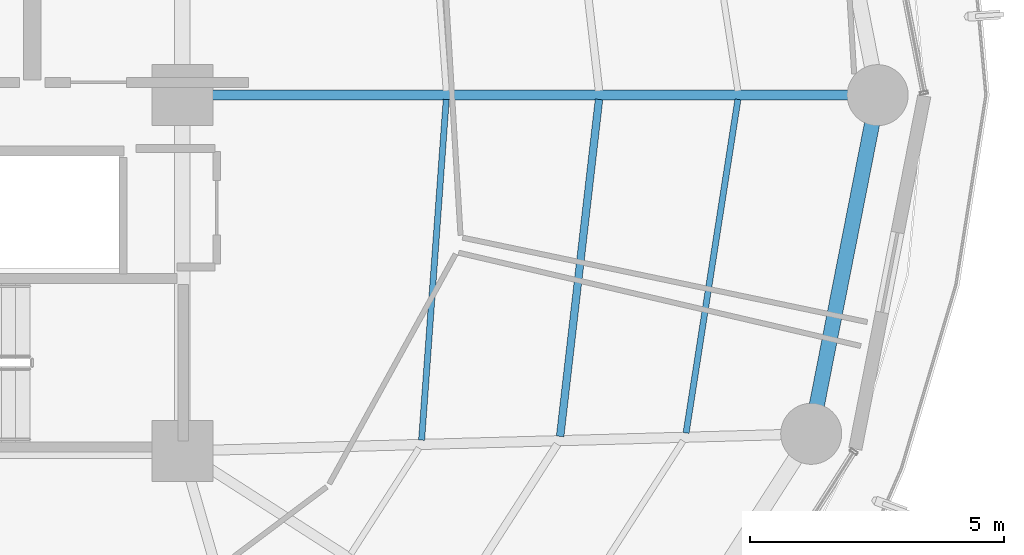
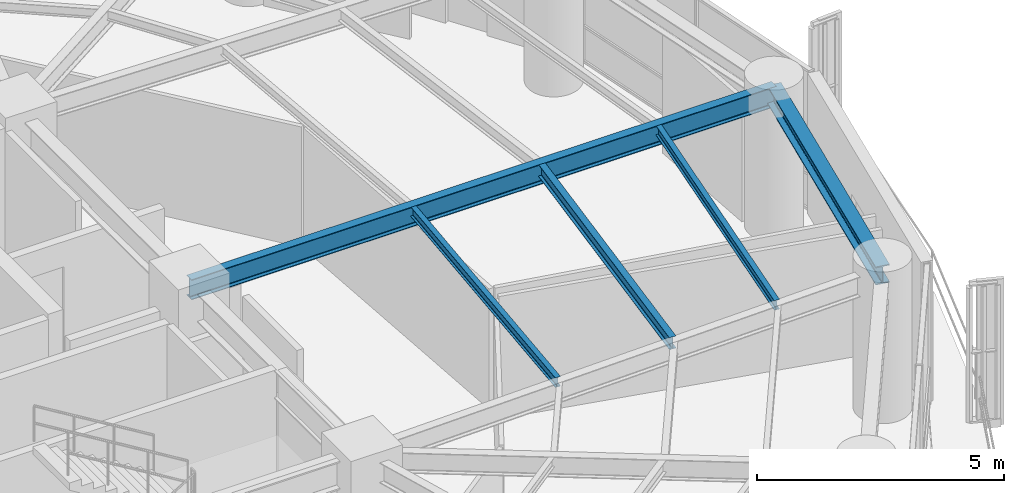
# One storey, part 12 of 27: 5 beams.
"""IFC4 building model written with IfcOpenShell, lengths in metres."""

from ifc_helpers import new_model, si_unit, direction, frame, origin, origin_2d, place, context, subcontext, project, spatial, i_section, extrude, material, material_profile, profile_set, type_object, element, save


model = new_model("IFC4")

# Units and contexts
model_context = context("Model", 3, precision=1e-05, world=origin(), true_north=direction((0.0, 1.0)))
body_context = subcontext(model_context, "Body", "Model", "MODEL_VIEW")
ifc_project = project(units=[si_unit("LENGTHUNIT", "METRE"), si_unit("AREAUNIT", "SQUARE_METRE"), si_unit("VOLUMEUNIT", "CUBIC_METRE"), si_unit("PLANEANGLEUNIT", "RADIAN"), si_unit("MASSUNIT", "GRAM", prefix="KILO")], contexts=[model_context])

# Site, building, storey
site_placement = place(None, origin())
site = spatial("IfcSite", under=ifc_project, at=site_placement, CompositionType="ELEMENT")
building_placement = place(site_placement, origin())
building = spatial("IfcBuilding", under=site, at=building_placement, Name="Kelanora Arch Commons", CompositionType="ELEMENT")
storey_placement = place(building_placement, frame((0.0, 0.0, 154.35009765625)))
storey = spatial("IfcBuildingStorey", under=building, at=storey_placement, Name="L39", CompositionType="ELEMENT", Elevation=154.35009765625)

# Beams
ifc_material = material(Name="Steel S355", Category="steel")
ifc_material_profile_1 = material_profile(ifc_material, i_section(OverallWidth=0.14990234375, OverallDepth=0.300048828125, WebThickness=0.007080078125, FlangeThickness=0.0107421875, FilletRadius=0.014892578125, at=origin_2d()), Name="IPE300")
ifc_profile_set_1 = profile_set([ifc_material_profile_1], Name="Steel S355")
beam_type_1 = type_object("IfcBeamType", Name="BM-JST-01", PredefinedType="JOIST", material=ifc_profile_set_1)
beam_1_placement = place(storey_placement, frame((89.43310546875, 51.286865234375, 3.33984375), z_axis=(0.114667159005, 0.9934039675, 0.0), x_axis=(-0.9934039675, 0.114667159005, 0.0)))
element("IfcBeam", 1, at=beam_1_placement, inside=storey, type_object=beam_type_1, Name="Secondary Chord Joist BJB-34 L39", PredefinedType="JOIST", context=body_context, shape_type="SweptSolid", body=[
    extrude(i_section(OverallWidth=0.14990234375, OverallDepth=0.300048828125, WebThickness=0.007080078125, FlangeThickness=0.0107421875, FilletRadius=0.014892578125, at=origin_2d()), origin(), (0.0, 0.0, 1.0), 6.672607421875),
])
ifc_material_profile_2 = material_profile(ifc_material, i_section(OverallWidth=0.1201171875, OverallDepth=0.239990234375, WebThickness=0.006103515625, FlangeThickness=0.009765625, FilletRadius=0.014892578125, at=origin_2d()), Name="IPE240")
ifc_profile_set_2 = profile_set([ifc_material_profile_2], Name="Steel S355")
beam_type_2 = type_object("IfcBeamType", Name="BM-JST-02", PredefinedType="JOIST", material=ifc_profile_set_2)
beam_2_placement = place(storey_placement, frame((86.707763671875, 51.212890625, 3.369873046875), z_axis=(0.072117123738, 0.997396170267, 0.0), x_axis=(-0.997396170267, 0.072117123738, 0.0)))
element("IfcBeam", 2, at=beam_2_placement, inside=storey, type_object=beam_type_2, Name="Secondary Chord Joist BJA-34 L39", PredefinedType="JOIST", context=body_context, shape_type="SweptSolid", body=[
    extrude(i_section(OverallWidth=0.1201171875, OverallDepth=0.239990234375, WebThickness=0.006103515625, FlangeThickness=0.009765625, FilletRadius=0.014892578125, at=origin_2d()), origin(), (0.0, 0.0, 1.0), 6.719970703125),
])
beam_3_placement = place(storey_placement, frame((91.9111328125, 51.35400390625, 3.369873046875), z_axis=(0.153562625853, 0.988138917329, 0.0), x_axis=(-0.988138917329, 0.153562625853, 0.0)))
element("IfcBeam", 3, at=beam_3_placement, inside=storey, type_object=beam_type_2, Name="Secondary Chord Joist BJC-34 L39", PredefinedType="JOIST", context=body_context, shape_type="SweptSolid", body=[
    extrude(i_section(OverallWidth=0.1201171875, OverallDepth=0.239990234375, WebThickness=0.006103515625, FlangeThickness=0.009765625, FilletRadius=0.014892578125, at=origin_2d()), origin(), (0.0, 0.0, 1.0), 6.640869140625),
])
ifc_material_profile_3 = material_profile(ifc_material, i_section(OverallWidth=0.199951171875, OverallDepth=0.5, WebThickness=0.01025390625, FlangeThickness=0.01611328125, FilletRadius=0.02099609375, at=origin_2d()), Name="IPE500")
ifc_profile_set_3 = profile_set([ifc_material_profile_3], Name="Steel S355")
beam_type_3 = type_object("IfcBeamType", Name="BM-RAD-Z3", PredefinedType="BEAM", material=ifc_profile_set_3)
beam_4_placement = place(storey_placement, frame((82.0, 58.0, 3.239990234375), z_axis=(1.0, 0.0, 0.0), x_axis=(0.0, 1.0, 0.0)))
element("IfcBeam", 4, at=beam_4_placement, inside=storey, type_object=beam_type_3, Name="Radial Floor Girder BR-00 L39", PredefinedType="BEAM", context=body_context, shape_type="SweptSolid", body=[
    extrude(i_section(OverallWidth=0.199951171875, OverallDepth=0.5, WebThickness=0.01025390625, FlangeThickness=0.01611328125, FilletRadius=0.02099609375, at=origin_2d()), origin(), (0.0, 0.0, 1.0), 13.679931640625),
])
ifc_material_profile_4 = material_profile(ifc_material, i_section(OverallWidth=0.300048828125, OverallDepth=0.449951171875, WebThickness=0.013916015625, FlangeThickness=0.02587890625, FilletRadius=0.027099609375, at=origin_2d()), Name="HEB450")
ifc_profile_set_4 = profile_set([ifc_material_profile_4], Name="Steel S355")
beam_type_4 = type_object("IfcBeamType", Name="BM-SPN-Z3", PredefinedType="SPANDREL", material=ifc_profile_set_4)
beam_5_placement = place(storey_placement, frame((94.37255859375, 51.33740234375, 3.264892578125), z_axis=(0.192553643556, 0.981286448675, 0.0), x_axis=(-0.981286448675, 0.192553643556, 0.0)))
element("IfcBeam", 5, at=beam_5_placement, inside=storey, type_object=beam_type_4, Name="Perimeter Spandrel Beam BS-34 L39", PredefinedType="SPANDREL", context=body_context, shape_type="SweptSolid", body=[
    extrude(i_section(OverallWidth=0.300048828125, OverallDepth=0.449951171875, WebThickness=0.013916015625, FlangeThickness=0.02587890625, FilletRadius=0.027099609375, at=origin_2d()), origin(), (0.0, 0.0, 1.0), 6.78955078125),
])

save(model, "model.ifc")
